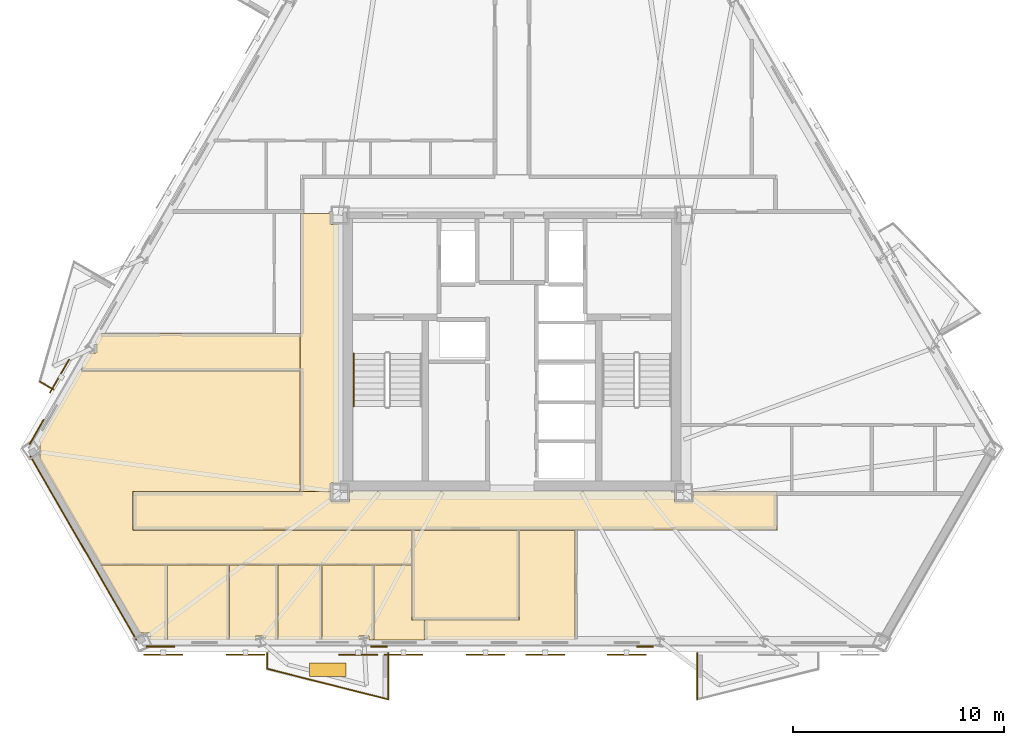
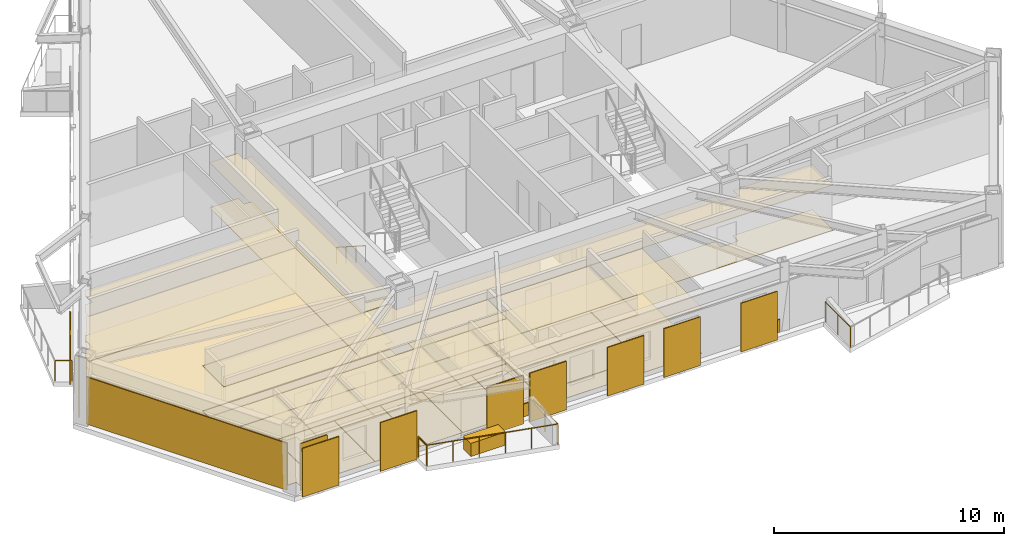
# One storey, part 7 of 9: 30 coverings, 8 shading devices, 6 railings.
"""IFC4 building model written with IfcOpenShell, lengths in metres."""

from ifc_helpers import new_model, si_unit, direction, frame, origin, origin_2d, place, context, subcontext, project, spatial, polyline, rectangle, circle, outline, extrude, material, layer, layer_set, type_object, element, save


model = new_model("IFC4")

# Units and contexts
model_context = context("Model", 3, precision=1e-05, world=origin(), true_north=direction((0.0, 1.0)))
body_context = subcontext(model_context, "Body", "Model", "MODEL_VIEW")
ifc_project = project(units=[si_unit("LENGTHUNIT", "METRE"), si_unit("AREAUNIT", "SQUARE_METRE"), si_unit("VOLUMEUNIT", "CUBIC_METRE"), si_unit("PLANEANGLEUNIT", "RADIAN"), si_unit("MASSUNIT", "GRAM", prefix="KILO")], contexts=[model_context])

# Site, building, storey
site_placement = place(None, origin())
site = spatial("IfcSite", under=ifc_project, at=site_placement, CompositionType="ELEMENT")
building_placement = place(site_placement, origin())
building = spatial("IfcBuilding", under=site, at=building_placement, Name="Oramaril Tower", CompositionType="ELEMENT")
storey_placement = place(building_placement, frame((0.0, 0.0, 126.60009765625)))
storey = spatial("IfcBuildingStorey", under=building, at=storey_placement, Name="L33", CompositionType="ELEMENT", Elevation=126.60009765625)

# Coverings
ifc_material_1 = material(Name="Mineral Fibre Acoustic Ceiling")
ifc_layer_1 = layer(ifc_material_1, 0.02001953125)
ifc_layer_set_1 = layer_set([ifc_layer_1], Name="CVT-CEIL")
covering_type_1 = type_object("IfcCoveringType", Name="CVT-CEIL", PredefinedType="CEILING", material=ifc_layer_set_1)
covering_1_placement = place(storey_placement, frame((0.0, 0.0, 2.39990234375)))
element("IfcCovering", 1, at=covering_1_placement, inside=storey, type_object=covering_type_1, Name="L33 Acoustic Suspended Ceiling 1", PredefinedType="CEILING", context=body_context, shape_type="SweptSolid", body=[
    extrude(outline(polyline([(28.905029296875, 10.554931640625), (29.794921875, 10.554931640625), (29.794921875, 11.030029296875), (45.205078125, 11.030029296875), (45.205078125, 10.554931640625), (46.094970703125, 10.554931640625), (46.094970703125, 11.030029296875), (50.080078125, 11.030029296875), (50.080078125, 9.219970703125), (19.52001953125, 9.219970703125), (19.52001953125, 11.030029296875), (28.905029296875, 11.030029296875), (28.905029296875, 10.554931640625)])), origin(), (0.0, 0.0, 1.0), 0.02001953125),
])
covering_2_placement = place(storey_placement, frame((0.0, 0.0, 2.39990234375)))
element("IfcCovering", 2, at=covering_2_placement, inside=storey, type_object=covering_type_1, Name="L33 Acoustic Suspended Ceiling 3", PredefinedType="CEILING", context=body_context, shape_type="SweptSolid", body=[
    extrude(outline(polyline([(28.905029296875, 23.705078125), (29.280029296875, 23.705078125), (29.280029296875, 11.445068359375), (28.905029296875, 11.445068359375), (28.905029296875, 11.050048828125), (27.469970703125, 11.050048828125), (27.469970703125, 24.219970703125), (28.905029296875, 24.219970703125), (28.905029296875, 23.705078125)])), origin(), (0.0, 0.0, 1.0), 0.02001953125),
])
covering_3_placement = place(storey_placement, frame((0.0, 0.0, 2.39990234375)))
element("IfcCovering", 3, at=covering_3_placement, inside=storey, type_object=covering_type_1, Name="L33 Acoustic Suspended Ceiling 5", PredefinedType="CEILING", context=body_context, shape_type="SweptSolid", body=[
    extrude(outline(polyline([(17.1201171875, 16.77001953125), (17.1201171875, 17.10400390625), (17.409423828125, 17.60546875), (17.774658203125, 17.60546875), (17.774658203125, 18.113525390625), (17.702880859375, 18.113525390625), (17.943359375, 18.530029296875), (27.449951171875, 18.530029296875), (27.449951171875, 16.77001953125), (17.1201171875, 16.77001953125)])), origin(), (0.0, 0.0, 1.0), 0.02001953125),
])
covering_4_placement = place(storey_placement, frame((0.0, 0.0, 2.39990234375)))
element("IfcCovering", 4, at=covering_4_placement, inside=storey, type_object=covering_type_1, Name="L33 Acoustic Suspended Ceiling 6", PredefinedType="CEILING", context=body_context, shape_type="SweptSolid", body=[
    extrude(outline(polyline([(32.758056640625, 4.9580078125), (32.758056640625, 9.199951171875), (37.842041015625, 9.199951171875), (37.842041015625, 4.9580078125), (32.758056640625, 4.9580078125)])), origin(), (0.0, 0.0, 1.0), 0.02001953125),
])
covering_5_placement = place(storey_placement, frame((0.0, 0.0, 2.39990234375)))
element("IfcCovering", 5, at=covering_5_placement, inside=storey, type_object=covering_type_1, Name="L33 Acoustic Suspended Ceiling 8", PredefinedType="CEILING", context=body_context, shape_type="SweptSolid", body=[
    extrude(outline(polyline([(33.35791015625, 3.986328125), (33.35791015625, 4.93798828125), (37.842041015625, 4.93798828125), (37.843994140625, 4.93798828125), (37.845947265625, 4.9384765625), (37.847900390625, 4.93896484375), (37.849609375, 4.939453125), (37.851318359375, 4.9404296875), (37.85302734375, 4.94140625), (37.854736328125, 4.9423828125), (37.856201171875, 4.94384765625), (37.857421875, 4.9453125), (37.858642578125, 4.947021484375), (37.859619140625, 4.948486328125), (37.860595703125, 4.9501953125), (37.861083984375, 4.9521484375), (37.861572265625, 4.9541015625), (37.86181640625, 4.9560546875), (37.862060546875, 4.9580078125), (37.862060546875, 9.199951171875), (40.487548828125, 9.199951171875), (40.487548828125, 3.986328125), (33.35791015625, 3.986328125)])), origin(), (0.0, 0.0, 1.0), 0.02001953125),
])
covering_6_placement = place(storey_placement, frame((0.0, 0.0, 2.39990234375)))
element("IfcCovering", 6, at=covering_6_placement, inside=storey, type_object=covering_type_1, Name="L33 Acoustic Suspended Ceiling 9", PredefinedType="CEILING", context=body_context, shape_type="SweptSolid", body=[
    extrude(outline(polyline([(17.10009765625, 16.842041015625), (17.10009765625, 16.77001953125), (17.10009765625, 16.76806640625), (17.100341796875, 16.76611328125), (17.100830078125, 16.76416015625), (17.1015625, 16.76220703125), (17.102294921875, 16.760498046875), (17.103515625, 16.7587890625), (17.1044921875, 16.75732421875), (17.10595703125, 16.755859375), (17.107421875, 16.75439453125), (17.10888671875, 16.75341796875), (17.110595703125, 16.75244140625), (17.1123046875, 16.75146484375), (17.1142578125, 16.7509765625), (17.1162109375, 16.75048828125), (17.117919921875, 16.75), (17.1201171875, 16.75), (27.449951171875, 16.75), (27.449951171875, 11.050048828125), (19.52001953125, 11.050048828125), (19.51806640625, 11.0498046875), (19.51611328125, 11.049560546875), (19.51416015625, 11.049072265625), (19.51220703125, 11.048583984375), (19.510498046875, 11.047607421875), (19.5087890625, 11.046630859375), (19.50732421875, 11.04541015625), (19.505859375, 11.044189453125), (19.50439453125, 11.042724609375), (19.50341796875, 11.041015625), (19.50244140625, 11.039306640625), (19.50146484375, 11.03759765625), (19.5009765625, 11.035888671875), (19.50048828125, 11.033935546875), (19.5, 11.031982421875), (19.5, 11.030029296875), (19.5, 9.219970703125), (19.5, 9.218017578125), (19.50048828125, 9.216064453125), (19.5009765625, 9.214111328125), (19.50146484375, 9.21240234375), (19.50244140625, 9.210693359375), (19.50341796875, 9.208984375), (19.50439453125, 9.207275390625), (19.505859375, 9.205810546875), (19.50732421875, 9.20458984375), (19.5087890625, 9.203369140625), (19.510498046875, 9.202392578125), (19.51220703125, 9.201416015625), (19.51416015625, 9.200927734375), (19.51611328125, 9.200439453125), (19.51806640625, 9.2001953125), (19.52001953125, 9.199951171875), (32.738037109375, 9.199951171875), (32.738037109375, 7.5625), (17.97314453125, 7.5625), (15.0693359375, 12.591796875), (15.11181640625, 12.591796875), (15.11181640625, 13.404052734375), (15.027587890625, 13.404052734375), (17.0126953125, 16.842041015625), (17.10009765625, 16.842041015625)])), origin(), (0.0, 0.0, 1.0), 0.02001953125),
])
covering_7_placement = place(storey_placement, frame((0.0, 0.0, 2.39990234375)))
element("IfcCovering", 7, at=covering_7_placement, inside=storey, type_object=covering_type_1, Name="L33 Acoustic Suspended Ceiling 10", PredefinedType="CEILING", context=body_context, shape_type="SweptSolid", body=[
    extrude(outline(polyline([(20.345458984375, 3.986328125), (20.345458984375, 4.329833984375), (19.83935546875, 4.329833984375), (17.98486328125, 7.54248046875), (21.14599609375, 7.54248046875), (21.14599609375, 3.986328125), (20.345458984375, 3.986328125)])), origin(), (0.0, 0.0, 1.0), 0.02001953125),
])
covering_8_placement = place(storey_placement, frame((0.0, 0.0, 2.39990234375)))
element("IfcCovering", 8, at=covering_8_placement, inside=storey, type_object=covering_type_1, Name="L33 Acoustic Suspended Ceiling 11", PredefinedType="CEILING", context=body_context, shape_type="SweptSolid", body=[
    extrude(outline(polyline([(21.166015625, 3.986328125), (21.166015625, 7.54248046875), (24.0732421875, 7.54248046875), (24.0732421875, 3.986328125), (21.166015625, 3.986328125)])), origin(), (0.0, 0.0, 1.0), 0.02001953125),
])
covering_9_placement = place(storey_placement, frame((0.0, 0.0, 2.39990234375)))
element("IfcCovering", 9, at=covering_9_placement, inside=storey, type_object=covering_type_1, Name="L33 Acoustic Suspended Ceiling 12", PredefinedType="CEILING", context=body_context, shape_type="SweptSolid", body=[
    extrude(outline(polyline([(25.806396484375, 3.986328125), (25.806396484375, 4.182861328125), (25.335693359375, 4.182861328125), (25.335693359375, 3.986328125), (24.09326171875, 3.986328125), (24.09326171875, 7.54248046875), (26.373291015625, 7.54248046875), (26.373291015625, 3.986328125), (25.806396484375, 3.986328125)])), origin(), (0.0, 0.0, 1.0), 0.02001953125),
])
covering_10_placement = place(storey_placement, frame((0.0, 0.0, 2.39990234375)))
element("IfcCovering", 10, at=covering_10_placement, inside=storey, type_object=covering_type_1, Name="L33 Acoustic Suspended Ceiling 13", PredefinedType="CEILING", context=body_context, shape_type="SweptSolid", body=[
    extrude(outline(polyline([(26.393310546875, 3.986328125), (26.393310546875, 7.54248046875), (28.46435546875, 7.54248046875), (28.46435546875, 3.986328125), (26.393310546875, 3.986328125)])), origin(), (0.0, 0.0, 1.0), 0.02001953125),
])
covering_11_placement = place(storey_placement, frame((0.0, 0.0, 2.39990234375)))
element("IfcCovering", 11, at=covering_11_placement, inside=storey, type_object=covering_type_1, Name="L33 Acoustic Suspended Ceiling 14", PredefinedType="CEILING", context=body_context, shape_type="SweptSolid", body=[
    extrude(outline(polyline([(30.713134765625, 3.986328125), (30.713134765625, 4.182861328125), (30.252685546875, 4.182861328125), (30.252685546875, 3.986328125), (28.484375, 3.986328125), (28.484375, 7.54248046875), (30.9521484375, 7.54248046875), (30.9521484375, 3.986328125), (30.713134765625, 3.986328125)])), origin(), (0.0, 0.0, 1.0), 0.02001953125),
])
covering_12_placement = place(storey_placement, frame((0.0, 0.0, 2.39990234375)))
element("IfcCovering", 12, at=covering_12_placement, inside=storey, type_object=covering_type_1, Name="L33 Acoustic Suspended Ceiling 15", PredefinedType="CEILING", context=body_context, shape_type="SweptSolid", body=[
    extrude(outline(polyline([(30.97216796875, 3.986328125), (30.97216796875, 7.54248046875), (32.738037109375, 7.54248046875), (32.738037109375, 4.9580078125), (32.738037109375, 4.9560546875), (32.73828125, 4.9541015625), (32.739013671875, 4.9521484375), (32.739501953125, 4.9501953125), (32.740478515625, 4.948486328125), (32.741455078125, 4.947021484375), (32.742431640625, 4.9453125), (32.743896484375, 4.94384765625), (32.745361328125, 4.9423828125), (32.746826171875, 4.94140625), (32.74853515625, 4.9404296875), (32.750244140625, 4.939453125), (32.752197265625, 4.93896484375), (32.754150390625, 4.9384765625), (32.756103515625, 4.93798828125), (32.758056640625, 4.93798828125), (33.337890625, 4.93798828125), (33.337890625, 3.986328125), (30.97216796875, 3.986328125)])), origin(), (0.0, 0.0, 1.0), 0.02001953125),
])
ifc_material_2 = material(Name="Warm Cream Limestone", Category="masonry")
ifc_layer_2 = layer(ifc_material_2, 0.050048828125)
ifc_layer_set_2 = layer_set([ifc_layer_2], Name="CVT-CLD")
covering_type_2 = type_object("IfcCoveringType", Name="CVT-CLD", PredefinedType="CLADDING", material=ifc_layer_set_2)
covering_13_placement = place(storey_placement, frame((17.165283203125, 8.359619140625, 0.039794921875), z_axis=(0.0, 0.0, 1.0), x_axis=(0.5, -0.866025403784, 0.0)))
element("IfcCovering", 13, at=covering_13_placement, inside=storey, type_object=covering_type_2, Name="L33 Warm Cream Limestone Cladding", PredefinedType="CLADDING", context=body_context, shape_type="SweptSolid", body=[
    extrude(rectangle(XDim=10.072265625, YDim=0.050048828125, at=origin_2d()), origin(), (0.0, 0.0, 1.0), 2.498046875),
])
covering_14_placement = place(storey_placement, frame((20.825439453125, 3.685302734375, 0.039794921875), z_axis=(0.0, 0.0, 1.0), x_axis=(1.0, 0.0, 0.0)))
element("IfcCovering", 14, at=covering_14_placement, inside=storey, type_object=covering_type_2, Name="L33 Warm Cream Limestone Cladding", PredefinedType="CLADDING", context=body_context, shape_type="SweptSolid", body=[
    extrude(rectangle(XDim=1.35009765625, YDim=0.050048828125, at=origin_2d()), origin(), (0.0, 0.0, 1.0), 2.498046875),
])
for number, where, z_axis, x_axis, name in (
    (15, (31.191162109375, 3.685302734375, 0.0400390625), (0.0, 0.0, 1.0), (1.0, 0.0, 0.0), "L33 Warm Cream Limestone Spandrel Cladding"),
    (16, (43.808837890625, 3.685302734375, 0.0400390625), (0.0, 0.0, 1.0), (1.0, 0.0, 0.0), "L33 Warm Cream Limestone Spandrel Cladding"),
):
    element("IfcCovering", number, at=place(storey_placement, frame(where, z_axis=z_axis, x_axis=x_axis)), inside=storey, type_object=covering_type_2, Name=name, PredefinedType="CLADDING", context=body_context, shape_type="SweptSolid", body=[
        extrude(rectangle(XDim=0.800048828125, YDim=0.050048828125, at=origin_2d()), origin(), (0.0, 0.0, 1.0), 0.679931640625),
    ])
covering_15_placement = place(storey_placement, frame((14.947265625, 13.86669921875, 0.039794921875), z_axis=(0.0, 0.0, 1.0), x_axis=(-0.4999984885, -0.866026276448, 0.0)))
element("IfcCovering", 17, at=covering_15_placement, inside=storey, type_object=covering_type_2, Name="L33 Warm Cream Limestone Cladding", PredefinedType="CLADDING", context=body_context, shape_type="SweptSolid", body=[
    extrude(rectangle(XDim=1.35009765625, YDim=0.050048828125, at=origin_2d()), origin(), (0.0, 0.0, 1.0), 2.498046875),
])
covering_16_placement = place(storey_placement, frame((28.760009765625, 2.581787109375, 0.0), z_axis=(0.0, 0.0, 1.0), x_axis=(1.0, 0.0, 0.0)))
element("IfcCovering", 18, at=covering_16_placement, inside=storey, type_object=covering_type_2, Name="L33 Structural Tree Planter Box L33-BAL-S1", PredefinedType="CLADDING", context=body_context, shape_type="SweptSolid", body=[
    extrude(rectangle(XDim=1.75, YDim=0.64990234375, at=origin_2d()), origin(), (0.0, 0.0, 1.0), 0.699951171875),
])
ifc_material_3 = material(Name="Honed Quartzite Stone Flooring", Category="masonry")
ifc_layer_3 = layer(ifc_material_3, 0.02490234375)
ifc_layer_set_3 = layer_set([ifc_layer_3], Name="CVT-FLR")
covering_type_3 = type_object("IfcCoveringType", Name="CVT-FLR", PredefinedType="FLOORING", material=ifc_layer_set_3)
covering_17_placement = place(storey_placement, origin())
element("IfcCovering", 19, at=covering_17_placement, inside=storey, type_object=covering_type_3, Name="L33 Honed Stone Floor Finish 1", PredefinedType="FLOORING", context=body_context, shape_type="SweptSolid", body=[
    extrude(outline(polyline([(28.905029296875, 10.554931640625), (29.794921875, 10.554931640625), (29.794921875, 11.030029296875), (45.205078125, 11.030029296875), (45.205078125, 10.554931640625), (46.094970703125, 10.554931640625), (46.094970703125, 11.030029296875), (50.080078125, 11.030029296875), (50.080078125, 9.219970703125), (19.52001953125, 9.219970703125), (19.52001953125, 11.030029296875), (28.905029296875, 11.030029296875), (28.905029296875, 10.554931640625)])), origin(), (0.0, 0.0, 1.0), 0.02490234375),
])
covering_18_placement = place(storey_placement, origin())
element("IfcCovering", 20, at=covering_18_placement, inside=storey, type_object=covering_type_3, Name="L33 Honed Stone Floor Finish 3", PredefinedType="FLOORING", context=body_context, shape_type="SweptSolid", body=[
    extrude(outline(polyline([(28.905029296875, 23.705078125), (29.280029296875, 23.705078125), (29.280029296875, 11.445068359375), (28.905029296875, 11.445068359375), (28.905029296875, 11.050048828125), (27.469970703125, 11.050048828125), (27.469970703125, 24.219970703125), (28.905029296875, 24.219970703125), (28.905029296875, 23.705078125)])), origin(), (0.0, 0.0, 1.0), 0.02490234375),
])
covering_19_placement = place(storey_placement, origin())
element("IfcCovering", 21, at=covering_19_placement, inside=storey, type_object=covering_type_3, Name="L33 Honed Stone Floor Finish 5", PredefinedType="FLOORING", context=body_context, shape_type="SweptSolid", body=[
    extrude(outline(polyline([(17.1201171875, 16.77001953125), (17.1201171875, 17.10400390625), (17.409423828125, 17.60546875), (17.774658203125, 17.60546875), (17.774658203125, 18.113525390625), (17.702880859375, 18.113525390625), (17.943359375, 18.530029296875), (27.449951171875, 18.530029296875), (27.449951171875, 16.77001953125), (17.1201171875, 16.77001953125)])), origin(), (0.0, 0.0, 1.0), 0.02490234375),
])
covering_20_placement = place(storey_placement, origin())
element("IfcCovering", 22, at=covering_20_placement, inside=storey, type_object=covering_type_3, Name="L33 Honed Stone Floor Finish 6", PredefinedType="FLOORING", context=body_context, shape_type="SweptSolid", body=[
    extrude(outline(polyline([(32.758056640625, 4.9580078125), (32.758056640625, 9.199951171875), (37.842041015625, 9.199951171875), (37.842041015625, 4.9580078125), (32.758056640625, 4.9580078125)])), origin(), (0.0, 0.0, 1.0), 0.02490234375),
])
covering_21_placement = place(storey_placement, origin())
element("IfcCovering", 23, at=covering_21_placement, inside=storey, type_object=covering_type_3, Name="L33 Honed Stone Floor Finish 8", PredefinedType="FLOORING", context=body_context, shape_type="SweptSolid", body=[
    extrude(outline(polyline([(33.35791015625, 3.986328125), (33.35791015625, 4.93798828125), (37.842041015625, 4.93798828125), (37.843994140625, 4.93798828125), (37.845947265625, 4.9384765625), (37.847900390625, 4.93896484375), (37.849609375, 4.939453125), (37.851318359375, 4.9404296875), (37.85302734375, 4.94140625), (37.854736328125, 4.9423828125), (37.856201171875, 4.94384765625), (37.857421875, 4.9453125), (37.858642578125, 4.947021484375), (37.859619140625, 4.948486328125), (37.860595703125, 4.9501953125), (37.861083984375, 4.9521484375), (37.861572265625, 4.9541015625), (37.86181640625, 4.9560546875), (37.862060546875, 4.9580078125), (37.862060546875, 9.199951171875), (40.487548828125, 9.199951171875), (40.487548828125, 3.986328125), (33.35791015625, 3.986328125)])), origin(), (0.0, 0.0, 1.0), 0.02490234375),
])
covering_22_placement = place(storey_placement, origin())
element("IfcCovering", 24, at=covering_22_placement, inside=storey, type_object=covering_type_3, Name="L33 Honed Stone Floor Finish 9", PredefinedType="FLOORING", context=body_context, shape_type="SweptSolid", body=[
    extrude(outline(polyline([(17.10009765625, 16.842041015625), (17.10009765625, 16.77001953125), (17.10009765625, 16.76806640625), (17.100341796875, 16.76611328125), (17.100830078125, 16.76416015625), (17.1015625, 16.76220703125), (17.102294921875, 16.760498046875), (17.103515625, 16.7587890625), (17.1044921875, 16.75732421875), (17.10595703125, 16.755859375), (17.107421875, 16.75439453125), (17.10888671875, 16.75341796875), (17.110595703125, 16.75244140625), (17.1123046875, 16.75146484375), (17.1142578125, 16.7509765625), (17.1162109375, 16.75048828125), (17.117919921875, 16.75), (17.1201171875, 16.75), (27.449951171875, 16.75), (27.449951171875, 11.050048828125), (19.52001953125, 11.050048828125), (19.51806640625, 11.0498046875), (19.51611328125, 11.049560546875), (19.51416015625, 11.049072265625), (19.51220703125, 11.048583984375), (19.510498046875, 11.047607421875), (19.5087890625, 11.046630859375), (19.50732421875, 11.04541015625), (19.505859375, 11.044189453125), (19.50439453125, 11.042724609375), (19.50341796875, 11.041015625), (19.50244140625, 11.039306640625), (19.50146484375, 11.03759765625), (19.5009765625, 11.035888671875), (19.50048828125, 11.033935546875), (19.5, 11.031982421875), (19.5, 11.030029296875), (19.5, 9.219970703125), (19.5, 9.218017578125), (19.50048828125, 9.216064453125), (19.5009765625, 9.214111328125), (19.50146484375, 9.21240234375), (19.50244140625, 9.210693359375), (19.50341796875, 9.208984375), (19.50439453125, 9.207275390625), (19.505859375, 9.205810546875), (19.50732421875, 9.20458984375), (19.5087890625, 9.203369140625), (19.510498046875, 9.202392578125), (19.51220703125, 9.201416015625), (19.51416015625, 9.200927734375), (19.51611328125, 9.200439453125), (19.51806640625, 9.2001953125), (19.52001953125, 9.199951171875), (32.738037109375, 9.199951171875), (32.738037109375, 7.5625), (17.97314453125, 7.5625), (15.0693359375, 12.591796875), (15.11181640625, 12.591796875), (15.11181640625, 13.404052734375), (15.027587890625, 13.404052734375), (17.0126953125, 16.842041015625), (17.10009765625, 16.842041015625)])), origin(), (0.0, 0.0, 1.0), 0.02490234375),
])
covering_23_placement = place(storey_placement, origin())
element("IfcCovering", 25, at=covering_23_placement, inside=storey, type_object=covering_type_3, Name="L33 Honed Stone Floor Finish 10", PredefinedType="FLOORING", context=body_context, shape_type="SweptSolid", body=[
    extrude(outline(polyline([(20.345458984375, 3.986328125), (20.345458984375, 4.329833984375), (19.83935546875, 4.329833984375), (17.98486328125, 7.54248046875), (21.14599609375, 7.54248046875), (21.14599609375, 3.986328125), (20.345458984375, 3.986328125)])), origin(), (0.0, 0.0, 1.0), 0.02490234375),
])
covering_24_placement = place(storey_placement, origin())
element("IfcCovering", 26, at=covering_24_placement, inside=storey, type_object=covering_type_3, Name="L33 Honed Stone Floor Finish 11", PredefinedType="FLOORING", context=body_context, shape_type="SweptSolid", body=[
    extrude(outline(polyline([(21.166015625, 3.986328125), (21.166015625, 7.54248046875), (24.0732421875, 7.54248046875), (24.0732421875, 3.986328125), (21.166015625, 3.986328125)])), origin(), (0.0, 0.0, 1.0), 0.02490234375),
])
covering_25_placement = place(storey_placement, origin())
element("IfcCovering", 27, at=covering_25_placement, inside=storey, type_object=covering_type_3, Name="L33 Honed Stone Floor Finish 12", PredefinedType="FLOORING", context=body_context, shape_type="SweptSolid", body=[
    extrude(outline(polyline([(25.806396484375, 3.986328125), (25.806396484375, 4.182861328125), (25.335693359375, 4.182861328125), (25.335693359375, 3.986328125), (24.09326171875, 3.986328125), (24.09326171875, 7.54248046875), (26.373291015625, 7.54248046875), (26.373291015625, 3.986328125), (25.806396484375, 3.986328125)])), origin(), (0.0, 0.0, 1.0), 0.02490234375),
])
covering_26_placement = place(storey_placement, origin())
element("IfcCovering", 28, at=covering_26_placement, inside=storey, type_object=covering_type_3, Name="L33 Honed Stone Floor Finish 13", PredefinedType="FLOORING", context=body_context, shape_type="SweptSolid", body=[
    extrude(outline(polyline([(26.393310546875, 3.986328125), (26.393310546875, 7.54248046875), (28.46435546875, 7.54248046875), (28.46435546875, 3.986328125), (26.393310546875, 3.986328125)])), origin(), (0.0, 0.0, 1.0), 0.02490234375),
])
covering_27_placement = place(storey_placement, origin())
element("IfcCovering", 29, at=covering_27_placement, inside=storey, type_object=covering_type_3, Name="L33 Honed Stone Floor Finish 14", PredefinedType="FLOORING", context=body_context, shape_type="SweptSolid", body=[
    extrude(outline(polyline([(30.713134765625, 3.986328125), (30.713134765625, 4.182861328125), (30.252685546875, 4.182861328125), (30.252685546875, 3.986328125), (28.484375, 3.986328125), (28.484375, 7.54248046875), (30.9521484375, 7.54248046875), (30.9521484375, 3.986328125), (30.713134765625, 3.986328125)])), origin(), (0.0, 0.0, 1.0), 0.02490234375),
])
covering_28_placement = place(storey_placement, origin())
element("IfcCovering", 30, at=covering_28_placement, inside=storey, type_object=covering_type_3, Name="L33 Honed Stone Floor Finish 15", PredefinedType="FLOORING", context=body_context, shape_type="SweptSolid", body=[
    extrude(outline(polyline([(30.97216796875, 3.986328125), (30.97216796875, 7.54248046875), (32.738037109375, 7.54248046875), (32.738037109375, 4.9580078125), (32.738037109375, 4.9560546875), (32.73828125, 4.9541015625), (32.739013671875, 4.9521484375), (32.739501953125, 4.9501953125), (32.740478515625, 4.948486328125), (32.741455078125, 4.947021484375), (32.742431640625, 4.9453125), (32.743896484375, 4.94384765625), (32.745361328125, 4.9423828125), (32.746826171875, 4.94140625), (32.74853515625, 4.9404296875), (32.750244140625, 4.939453125), (32.752197265625, 4.93896484375), (32.754150390625, 4.9384765625), (32.756103515625, 4.93798828125), (32.758056640625, 4.93798828125), (33.337890625, 4.93798828125), (33.337890625, 3.986328125), (30.97216796875, 3.986328125)])), origin(), (0.0, 0.0, 1.0), 0.02490234375),
])

# Railings
ifc_material_4 = material(Name="Stainless Steel 316L", Category="steel")
railing_type_1 = type_object("IfcRailingType", Name="RLT-GRD", PredefinedType="GUARDRAIL", material=ifc_material_4)
railing_1_placement = place(storey_placement, frame((31.625, 3.370361328125, 0.0)))
element("IfcRailing", 31, at=railing_1_placement, inside=storey, type_object=railing_type_1, Name="L33 Balcony Guardrail L33-BAL-S1.1", PredefinedType="GUARDRAIL", context=body_context, shape_type="SweptSolid", body=[
    extrude(circle(Radius=0.02392578125, at=origin_2d()), frame((0.0, 0.0, 1.076171875), z_axis=(0.0, -1.0, 0.0), x_axis=(1.0, 0.0, 0.0)), (0.0, 0.0, 1.0), 2.192138671875),
    extrude(circle(Radius=0.02099609375, at=origin_2d()), origin(), (0.0, 0.0, 1.0), 1.052001953125),
    extrude(circle(Radius=0.02099609375, at=origin_2d()), frame((0.0, -1.09619140625, 0.0)), (0.0, 0.0, 1.0), 1.052001953125),
    extrude(circle(Radius=0.02099609375, at=origin_2d()), frame((0.0, -2.192138671875, 0.0)), (0.0, 0.0, 1.0), 1.052001953125),
])
railing_2_placement = place(storey_placement, frame((31.625, 1.17822265625, 0.0)))
element("IfcRailing", 32, at=railing_2_placement, inside=storey, type_object=railing_type_1, Name="L33 Balcony Guardrail L33-BAL-S1.2", PredefinedType="GUARDRAIL", context=body_context, shape_type="SweptSolid", body=[
    extrude(circle(Radius=0.02392578125, at=origin_2d()), frame((0.0, 0.0, 1.076171875), z_axis=(-0.969433787338, 0.245353076131, 0.0), x_axis=(-0.245353076131, -0.969433787338, 0.0)), (0.0, 0.0, 1.0), 5.91064453125),
    extrude(circle(Radius=0.02099609375, at=origin_2d()), origin(), (0.0, 0.0, 1.0), 1.052001953125),
    extrude(circle(Radius=0.02099609375, at=origin_2d()), frame((-1.14599609375, 0.2900390625, 0.0)), (0.0, 0.0, 1.0), 1.052001953125),
    extrude(circle(Radius=0.02099609375, at=origin_2d()), frame((-2.2919921875, 0.580078125, 0.0)), (0.0, 0.0, 1.0), 1.052001953125),
    extrude(circle(Radius=0.02099609375, at=origin_2d()), frame((-3.43798828125, 0.8701171875, 0.0)), (0.0, 0.0, 1.0), 1.052001953125),
    extrude(circle(Radius=0.02099609375, at=origin_2d()), frame((-4.583984375, 1.16015625, 0.0)), (0.0, 0.0, 1.0), 1.052001953125),
    extrude(circle(Radius=0.02099609375, at=origin_2d()), frame((-5.72998046875, 1.4501953125, 0.0)), (0.0, 0.0, 1.0), 1.052001953125),
])
railing_3_placement = place(storey_placement, frame((25.89501953125, 2.62841796875, 0.0)))
element("IfcRailing", 33, at=railing_3_placement, inside=storey, type_object=railing_type_1, Name="L33 Balcony Guardrail L33-BAL-S1.3", PredefinedType="GUARDRAIL", context=body_context, shape_type="SweptSolid", body=[
    extrude(circle(Radius=0.02392578125, at=origin_2d()), frame((0.0, 0.0, 1.076171875), z_axis=(0.0, 1.0, 0.0), x_axis=(-1.0, 0.0, 0.0)), (0.0, 0.0, 1.0), 0.741943359375),
    extrude(circle(Radius=0.02099609375, at=origin_2d()), origin(), (0.0, 0.0, 1.0), 1.052001953125),
    extrude(circle(Radius=0.02099609375, at=origin_2d()), frame((0.0, 0.741943359375, 0.0)), (0.0, 0.0, 1.0), 1.052001953125),
])
railing_4_placement = place(storey_placement, frame((46.300048828125, 1.17822265625, 0.0)))
element("IfcRailing", 34, at=railing_4_placement, inside=storey, type_object=railing_type_1, Name="L33 Balcony Guardrail L33-BAL-S2.3", PredefinedType="GUARDRAIL", context=body_context, shape_type="SweptSolid", body=[
    extrude(circle(Radius=0.02392578125, at=origin_2d()), frame((0.0, 0.0, 1.076171875), z_axis=(0.0, 1.0, 0.0), x_axis=(-1.0, 0.0, 0.0)), (0.0, 0.0, 1.0), 2.192138671875),
    extrude(circle(Radius=0.02099609375, at=origin_2d()), origin(), (0.0, 0.0, 1.0), 1.052001953125),
    extrude(circle(Radius=0.02099609375, at=origin_2d()), frame((0.0, 1.09619140625, 0.0)), (0.0, 0.0, 1.0), 1.052001953125),
    extrude(circle(Radius=0.02099609375, at=origin_2d()), frame((0.0, 2.192138671875, 0.0)), (0.0, 0.0, 1.0), 1.052001953125),
])
railing_5_placement = place(storey_placement, frame((15.74658203125, 15.88134765625, 0.0)))
element("IfcRailing", 35, at=railing_5_placement, inside=storey, type_object=railing_type_1, Name="L33 Balcony Guardrail L33-BAL-NW2.1", PredefinedType="GUARDRAIL", context=body_context, shape_type="SweptSolid", body=[
    extrude(circle(Radius=0.02392578125, at=origin_2d()), frame((0.0, 0.0, 1.076171875), z_axis=(-0.865966403178, 0.500102178127, 0.0), x_axis=(-0.500102178127, -0.865966403178, 0.0)), (0.0, 0.0, 1.0), 0.741943359375),
    extrude(circle(Radius=0.02099609375, at=origin_2d()), origin(), (0.0, 0.0, 1.0), 1.052001953125),
    extrude(circle(Radius=0.02099609375, at=origin_2d()), frame((-0.642578125, 0.37109375, 0.0)), (0.0, 0.0, 1.0), 1.052001953125),
])
ifc_material_5 = material(Name="Stainless Steel 316L", Category="steel")
railing_type_2 = type_object("IfcRailingType", Name="RLT-HND", PredefinedType="HANDRAIL", material=ifc_material_5)
railing_6_placement = place(storey_placement, frame((30.0, 17.590087890625, 0.179931640625)))
element("IfcRailing", 36, at=railing_6_placement, inside=storey, type_object=railing_type_2, Name="L33 ST-1 stair handrail 1", PredefinedType="HANDRAIL", context=body_context, shape_type="SweptSolid", body=[
    extrude(circle(Radius=0.02392578125, at=origin_2d()), frame((0.0, 0.0, 0.8759765625), z_axis=(0.0, -0.841199657755, 0.540724639528), x_axis=(1.0, 0.0, 0.0)), (0.0, 0.0, 1.0), 2.995849609375),
    extrude(circle(Radius=0.02099609375, at=origin_2d()), origin(), (0.0, 0.0, 1.0), 0.851806640625),
    extrude(circle(Radius=0.02099609375, at=origin_2d()), frame((0.0, -0.840087890625, 0.5400390625)), (0.0, 0.0, 1.0), 0.851806640625),
    extrude(circle(Radius=0.02099609375, at=origin_2d()), frame((0.0, -1.679931640625, 1.079833984375)), (0.0, 0.0, 1.0), 0.851806640625),
    extrude(circle(Radius=0.02099609375, at=origin_2d()), frame((0.0, -2.52001953125, 1.619873046875)), (0.0, 0.0, 1.0), 0.851806640625),
])

# Shading devices
for number, where, z_axis, x_axis, name in (
    (37, (32.3447265625, 3.29833984375, -0.02001953125), (0.0, 0.0, 1.0), (1.0, 0.0, 0.0), "L33 Perforated Ceramic Solar Screen"),
    (38, (36.244873046875, 3.29833984375, -0.02001953125), (0.0, 0.0, 1.0), (1.0, 0.0, 0.0), "L33 Perforated Ceramic Solar Screen"),
    (39, (39.076171875, 3.29833984375, -0.02001953125), (0.0, 0.0, 1.0), (1.0, 0.0, 0.0), "L33 Perforated Ceramic Solar Screen"),
    (40, (42.941650390625, 3.29833984375, -0.02001953125), (0.0, 0.0, 1.0), (1.0, 0.0, 0.0), "L33 Perforated Ceramic Solar Screen"),
    (41, (20.95458984375, 3.29833984375, -0.02001953125), (0.0, 0.0, 1.0), (1.0, 0.0, 0.0), "L33 Perforated Ceramic Solar Screen"),
    (42, (24.8544921875, 3.29833984375, -0.02001953125), (0.0, 0.0, 1.0), (1.0, 0.0, 0.0), "L33 Perforated Ceramic Solar Screen"),
    (43, (30.205078125, 3.29833984375, -0.02001953125), (0.0, 0.0, 1.0), (1.0, 0.0, 0.0), "L33 Perforated Ceramic Solar Screen"),
    (44, (16.02978515625, 16.515625, -0.02001953125), (0.0, 0.0, 1.0), (-0.4999984885, -0.866026276448, 0.0), "L33 Perforated Ceramic Solar Screen"),
):
    element("IfcShadingDevice", number, at=place(storey_placement, frame(where, z_axis=z_axis, x_axis=x_axis)), inside=storey, Name=name, ObjectType="SCREEN", PredefinedType="USERDEFINED", context=body_context, shape_type="SweptSolid", body=[
        extrude(rectangle(XDim=1.8330078125, YDim=0.050048828125, at=origin_2d()), origin(), (0.0, 0.0, 1.0), 2.577880859375),
    ])

save(model, "model.ifc")
